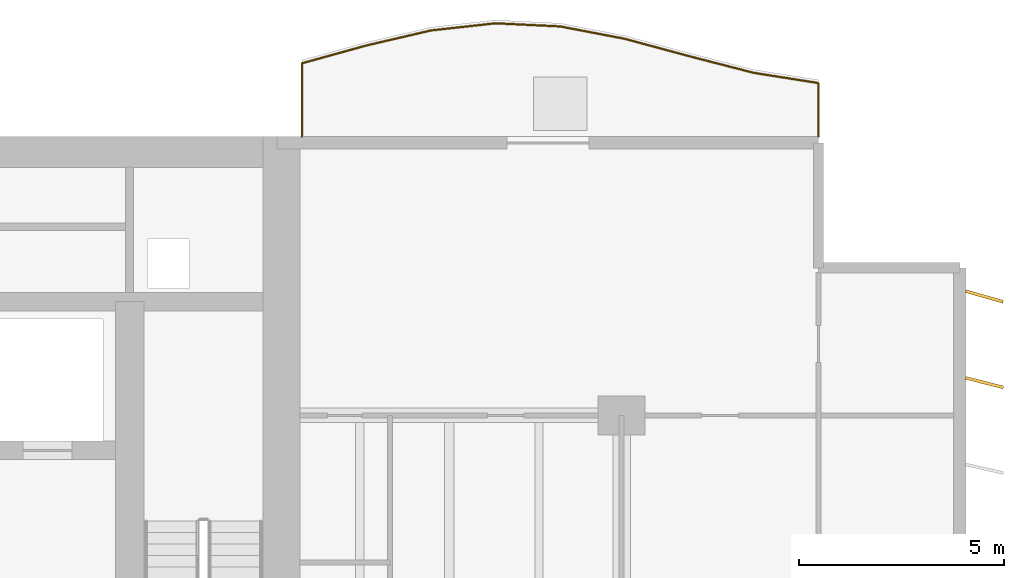
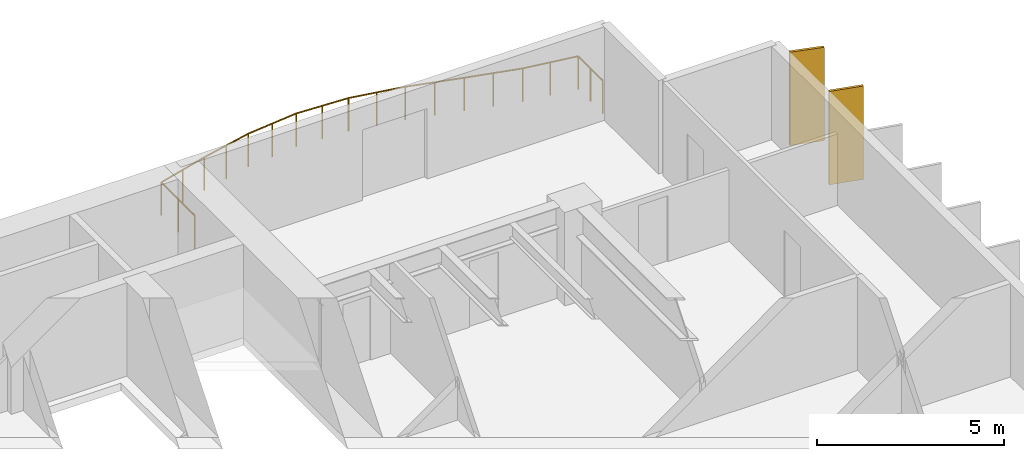
# One storey, part 17 of 17: 2 shading devices, 1 railing.
"""IFC4 building model written with IfcOpenShell, lengths in metres."""

from ifc_helpers import new_model, si_unit, direction, frame, origin, origin_2d, place, context, subcontext, project, spatial, rectangle, circle, extrude, material, material_profile, profile_set, type_object, element, save


model = new_model("IFC4")

# Units and contexts
model_context = context("Model", 3, precision=1e-05, world=origin(), true_north=direction((0.0, 1.0)))
body_context = subcontext(model_context, "Body", "Model", "MODEL_VIEW")
ifc_project = project(units=[si_unit("LENGTHUNIT", "METRE"), si_unit("AREAUNIT", "SQUARE_METRE"), si_unit("VOLUMEUNIT", "CUBIC_METRE"), si_unit("PLANEANGLEUNIT", "RADIAN"), si_unit("MASSUNIT", "GRAM", prefix="KILO")], contexts=[model_context])

# Site, building, storey
site_placement = place(None, origin())
site = spatial("IfcSite", under=ifc_project, at=site_placement, CompositionType="ELEMENT")
building_placement = place(site_placement, origin())
building = spatial("IfcBuilding", under=site, at=building_placement, Name="Caelmar Bay Residences", CompositionType="ELEMENT")
storey_placement = place(building_placement, frame((0.0, 0.0, 53.10009765625)))
storey = spatial("IfcBuildingStorey", under=building, at=storey_placement, Name="L13", CompositionType="ELEMENT", Elevation=53.10009765625)

# Railing
ifc_material_1 = material(Name="Anodised bronze handrail with laminated hurricane glass infill", Category="glass")
railing_type = type_object("IfcRailingType", Name="RL-BAL-1100", PredefinedType="BALUSTRADE", material=ifc_material_1)
railing_placement = place(storey_placement, frame((72.699951171875, 50.60009765625, 0.0)))
element("IfcRailing", 1, at=railing_placement, inside=storey, type_object=railing_type, Name="L13 north_east Balcony Balustrade", PredefinedType="BALUSTRADE", context=body_context, shape_type="SweptSolid", body=[
    extrude(circle(Radius=0.02392578125, at=origin_2d()), frame((0.0, 0.0, 1.076171875), z_axis=(0.0, 1.0, 0.0), x_axis=(-1.0, 0.0, 0.0)), (0.0, 0.0, 1.0), 1.306640625),
    extrude(circle(Radius=0.02392578125, at=origin_2d()), frame((0.0, 1.306640625, 1.076171875), z_axis=(-0.98772942327, 0.156174858431, 0.0), x_axis=(-0.156174858431, -0.98772942327, 0.0)), (0.0, 0.0, 1.0), 1.594482421875),
    extrude(circle(Radius=0.02392578125, at=origin_2d()), frame((-1.574951171875, 1.5556640625, 1.076171875), z_axis=(-0.968414261795, 0.249346781715, 0.0), x_axis=(-0.249346781715, -0.968414261795, 0.0)), (0.0, 0.0, 1.0), 1.626220703125),
    extrude(circle(Radius=0.02392578125, at=origin_2d()), frame((-3.14990234375, 1.961181640625, 1.076171875), z_axis=(-0.965420419953, 0.260697933895, 0.0), x_axis=(-0.260697933895, -0.965420419953, 0.0)), (0.0, 0.0, 1.0), 1.63134765625),
    extrude(circle(Radius=0.02392578125, at=origin_2d()), frame((-4.724853515625, 2.386474609375, 1.076171875), z_axis=(-0.982140830907, 0.18814725155, 0.0), x_axis=(-0.18814725155, -0.982140830907, 0.0)), (0.0, 0.0, 1.0), 1.603759765625),
    extrude(circle(Radius=0.02392578125, at=origin_2d()), frame((-6.300048828125, 2.688232421875, 1.076171875), z_axis=(-0.998824997948, 0.048462598722, 0.0), x_axis=(-0.048462598722, -0.998824997948, 0.0)), (0.0, 0.0, 1.0), 1.576904296875),
    extrude(circle(Radius=0.02392578125, at=origin_2d()), frame((-7.875, 2.7646484375, 1.076171875), z_axis=(-0.993913760533, -0.110160957802, 0.0), x_axis=(0.110160957802, -0.993913760533, 0.0)), (0.0, 0.0, 1.0), 1.584716796875),
    extrude(circle(Radius=0.02392578125, at=origin_2d()), frame((-9.449951171875, 2.590087890625, 1.076171875), z_axis=(-0.973949121844, -0.226766637887, 0.0), x_axis=(0.226766637887, -0.973949121844, 0.0)), (0.0, 0.0, 1.0), 1.6171875),
    extrude(circle(Radius=0.02392578125, at=origin_2d()), frame((-11.02490234375, 2.223388671875, 1.076171875), z_axis=(-0.963861744869, -0.266402959402, 0.0), x_axis=(0.266402959402, -0.963861744869, 0.0)), (0.0, 0.0, 1.0), 1.634033203125),
    extrude(circle(Radius=0.02392578125, at=origin_2d()), frame((-12.599853515625, 1.7880859375, 1.076171875), z_axis=(0.0, -1.0, 0.0), x_axis=(1.0, 0.0, 0.0)), (0.0, 0.0, 1.0), 1.7880859375),
    extrude(circle(Radius=0.02099609375, at=origin_2d()), origin(), (0.0, 0.0, 1.0), 1.052001953125),
    extrude(circle(Radius=0.02099609375, at=origin_2d()), frame((0.0, 0.6533203125, 0.0)), (0.0, 0.0, 1.0), 1.052001953125),
    extrude(circle(Radius=0.02099609375, at=origin_2d()), frame((0.0, 1.306640625, 0.0)), (0.0, 0.0, 1.0), 1.052001953125),
    extrude(circle(Radius=0.02099609375, at=origin_2d()), frame((-0.78759765625, 1.43115234375, 0.0)), (0.0, 0.0, 1.0), 1.052001953125),
    extrude(circle(Radius=0.02099609375, at=origin_2d()), frame((-1.574951171875, 1.5556640625, 0.0)), (0.0, 0.0, 1.0), 1.052001953125),
    extrude(circle(Radius=0.02099609375, at=origin_2d()), frame((-2.3623046875, 1.75830078125, 0.0)), (0.0, 0.0, 1.0), 1.052001953125),
    extrude(circle(Radius=0.02099609375, at=origin_2d()), frame((-3.14990234375, 1.961181640625, 0.0)), (0.0, 0.0, 1.0), 1.052001953125),
    extrude(circle(Radius=0.02099609375, at=origin_2d()), frame((-3.9375, 2.173828125, 0.0)), (0.0, 0.0, 1.0), 1.052001953125),
    extrude(circle(Radius=0.02099609375, at=origin_2d()), frame((-4.724853515625, 2.386474609375, 0.0)), (0.0, 0.0, 1.0), 1.052001953125),
    extrude(circle(Radius=0.02099609375, at=origin_2d()), frame((-5.512451171875, 2.537353515625, 0.0)), (0.0, 0.0, 1.0), 1.052001953125),
    extrude(circle(Radius=0.02099609375, at=origin_2d()), frame((-6.300048828125, 2.688232421875, 0.0)), (0.0, 0.0, 1.0), 1.052001953125),
    extrude(circle(Radius=0.02099609375, at=origin_2d()), frame((-7.08740234375, 2.7265625, 0.0)), (0.0, 0.0, 1.0), 1.052001953125),
    extrude(circle(Radius=0.02099609375, at=origin_2d()), frame((-7.875, 2.7646484375, 0.0)), (0.0, 0.0, 1.0), 1.052001953125),
    extrude(circle(Radius=0.02099609375, at=origin_2d()), frame((-8.66259765625, 2.67724609375, 0.0)), (0.0, 0.0, 1.0), 1.052001953125),
    extrude(circle(Radius=0.02099609375, at=origin_2d()), frame((-9.449951171875, 2.590087890625, 0.0)), (0.0, 0.0, 1.0), 1.052001953125),
    extrude(circle(Radius=0.02099609375, at=origin_2d()), frame((-10.2373046875, 2.40673828125, 0.0)), (0.0, 0.0, 1.0), 1.052001953125),
    extrude(circle(Radius=0.02099609375, at=origin_2d()), frame((-11.02490234375, 2.223388671875, 0.0)), (0.0, 0.0, 1.0), 1.052001953125),
    extrude(circle(Radius=0.02099609375, at=origin_2d()), frame((-11.8125, 2.005859375, 0.0)), (0.0, 0.0, 1.0), 1.052001953125),
    extrude(circle(Radius=0.02099609375, at=origin_2d()), frame((-12.599853515625, 1.7880859375, 0.0)), (0.0, 0.0, 1.0), 1.052001953125),
    extrude(circle(Radius=0.02099609375, at=origin_2d()), frame((-12.599853515625, 0.89404296875, 0.0)), (0.0, 0.0, 1.0), 1.052001953125),
    extrude(circle(Radius=0.02099609375, at=origin_2d()), frame((-12.599853515625, 0.0, 0.0)), (0.0, 0.0, 1.0), 1.052001953125),
])

# Shading devices
ifc_material_2 = material(Name="Anodised architectural bronze aluminium 6063-T6", Category="aluminium")
ifc_material_profile = material_profile(ifc_material_2, rectangle(XDim=0.074951171875, YDim=0.949951171875, at=origin_2d()), Name="BRONZE-FIN-75X950")
ifc_profile_set = profile_set([ifc_material_profile], Name="Anodised architectural bronze aluminium 6063-T6")
shading_device_type = type_object("IfcShadingDeviceType", Name="SHD-FIN-950", PredefinedType="USERDEFINED", material=ifc_profile_set)
for number, where, z_axis, x_axis, name in (
    (2, (76.75, 44.60009765625, 0.0), (0.0, 0.0, 1.0), (0.247337247968, 0.968929453452, 0.0), "L13 East Bronze Solar Fin 19"),
    (3, (76.75, 46.699951171875, 0.0), (0.0, 0.0, 1.0), (0.275637355817, 0.961261695938, 0.0), "L13 East Bronze Solar Fin 20"),
):
    element("IfcShadingDevice", number, at=place(storey_placement, frame(where, z_axis=z_axis, x_axis=x_axis)), inside=storey, type_object=shading_device_type, Name=name, ObjectType="FIN", PredefinedType="USERDEFINED", context=body_context, shape_type="SweptSolid", body=[
        extrude(rectangle(XDim=0.074951171875, YDim=0.949951171875, at=origin_2d()), origin(), (0.0, 0.0, 1.0), 3.0498046875),
    ])

save(model, "model.ifc")
